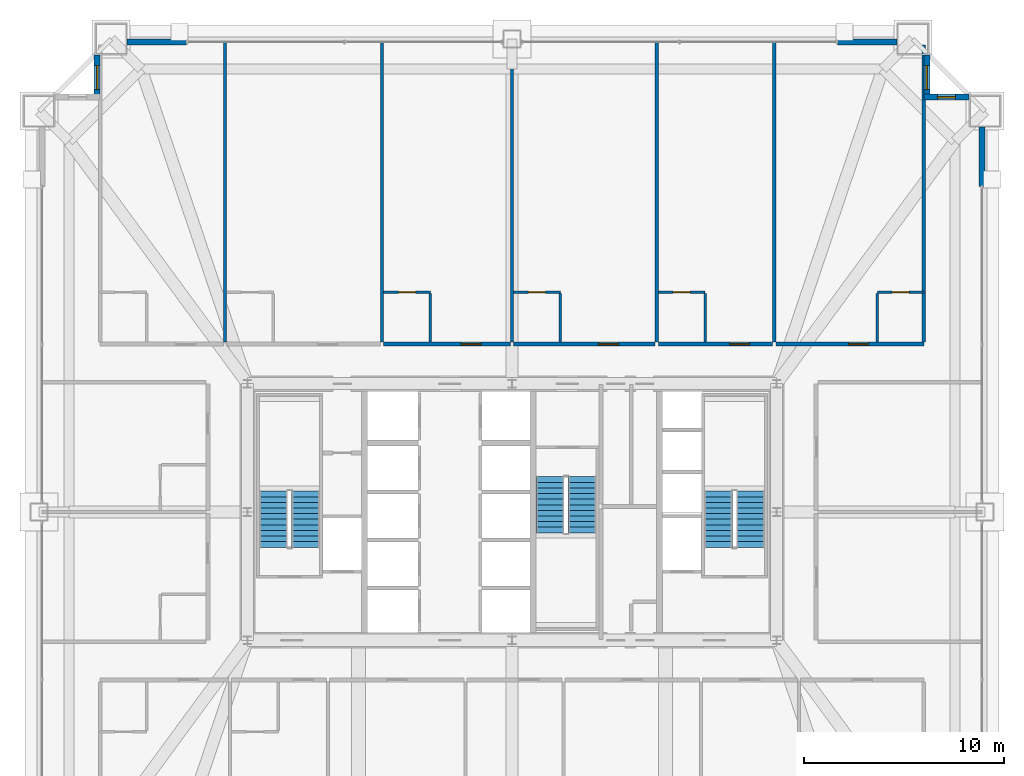
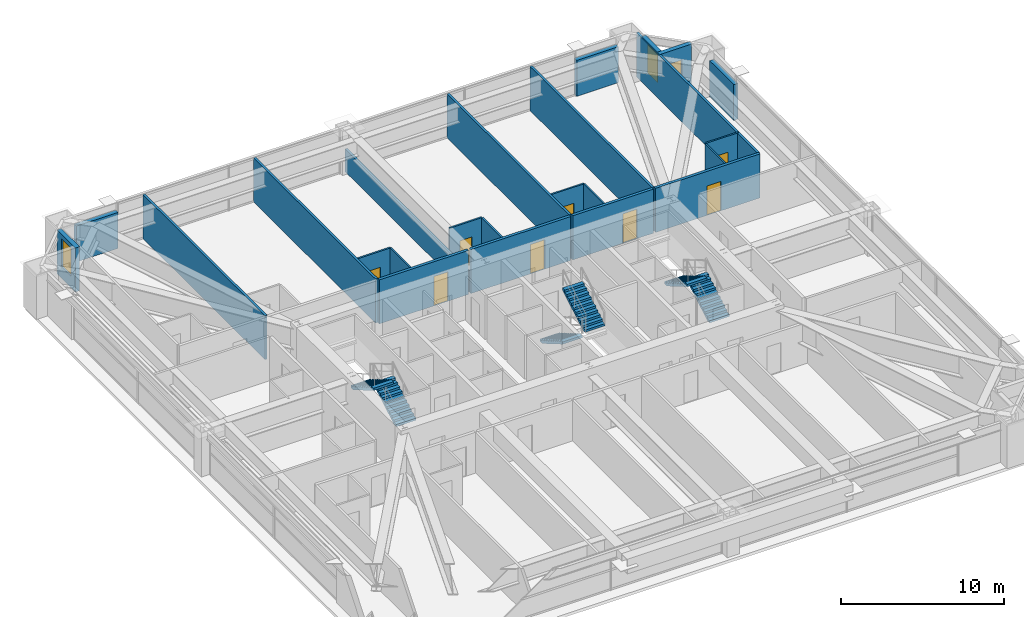
# One storey, part 44 of 45: 24 walls, 8 doors, 6 stair flights, 3 windows, 11 openings, 3 elements without a shape of their own.
"""IFC4 building model written with IfcOpenShell, lengths in metres."""

from ifc_helpers import new_model, si_unit, direction, frame, frame_2d, origin, place, context, subcontext, project, spatial, polyline, rectangle, outline, extrude, source, transform, mapped, material, layer, layer_set, type_object, element, fill, aggregate, save


model = new_model("IFC4")

# Units and contexts
model_context = context("Model", 3, precision=1e-05, world=origin(), true_north=direction((0.0, 1.0)))
body_context = subcontext(model_context, "Body", "Model", "MODEL_VIEW")
ifc_project = project(units=[si_unit("LENGTHUNIT", "METRE"), si_unit("AREAUNIT", "SQUARE_METRE"), si_unit("VOLUMEUNIT", "CUBIC_METRE"), si_unit("PLANEANGLEUNIT", "RADIAN"), si_unit("MASSUNIT", "GRAM", prefix="KILO"), si_unit("THERMODYNAMICTEMPERATUREUNIT", "KELVIN"), si_unit("POWERUNIT", "WATT")], contexts=[model_context])

# Site, building, storey
site_placement = place(None, origin())
site = spatial("IfcSite", under=ifc_project, at=site_placement, CompositionType="ELEMENT")
building_placement = place(site_placement, origin())
building = spatial("IfcBuilding", under=site, at=building_placement, Name="Yuzanri Waterfront Tower", CompositionType="ELEMENT")
storey_placement = place(building_placement, frame((0.0, 0.0, 163.199951171875)))
storey = spatial("IfcBuildingStorey", under=building, at=storey_placement, Name="L43", CompositionType="ELEMENT", Elevation=163.199951171875)

# Wall, opening, door
ifc_material_1 = material(Name="Moisture-Resistant Gypsum Stud Wall", Category="gypsum")
ifc_layer_1 = layer(ifc_material_1, 0.1201171875)
ifc_layer_set_1 = layer_set([ifc_layer_1], Name="Moisture-Resistant Gypsum Stud Wall")
wall_type_1 = type_object("IfcWallType", Name="Bathroom and Kitchen Wet Partition 120", PredefinedType="PARTITIONING", material=ifc_layer_set_1)
wall_1_placement = place(storey_placement, frame((30.596923828125, 36.760009765625, 0.0), z_axis=(0.0, 0.0, 1.0), x_axis=(1.0, 0.0, 0.0)))
wall_1 = element("IfcWall", 1, at=wall_1_placement, inside=storey, type_object=wall_type_1, Name="L43 Partition UW-L43-N3-BN", PredefinedType="PARTITIONING", context=body_context, shape_type="SweptSolid", body=[
    extrude(rectangle(XDim=2.330078125, YDim=0.1201171875, at=frame_2d((1.1650390625, 0.0))), origin(), (0.0, 0.0, 1.0), 3.300048828125),
])
opening_1_placement = place(wall_1_placement, frame((0.739990234375, 0.0, 0.0)))
opening_1 = element("IfcOpeningElement", 2, at=opening_1_placement, cuts=wall_1, Name="Opening ID-0850", PredefinedType="OPENING", context=body_context, shape_type="SweptSolid", body=[
    extrude(rectangle(XDim=0.85009765625, YDim=2.10009765625, at=frame_2d((0.425048828125, 1.050048828125))), frame((0.0, 0.074951171875, 0.0), z_axis=(0.0, -1.0, 0.0), x_axis=(1.0, 0.0, 0.0)), (0.0, 0.0, 1.0), 0.14990234375),
])
ifc_material_2 = material(Name="Moisture-Resistant Lacquered Timber", Category="wood")
door_type_1 = type_object("IfcDoorType", Name="En-Suite Bathroom and Kitchen Swing Door 850x2100", OperationType="NOTDEFINED", PredefinedType="DOOR", material=ifc_material_2)
shared_shape_1 = source(origin(), body_context, "Body", "SweptSolid", [
    extrude(rectangle(XDim=0.85009765625, YDim=2.10009765625, at=frame_2d((0.425048828125, 1.050048828125))), frame((0.0, 0.02490234375, 0.0), z_axis=(0.0, -1.0, 0.0), x_axis=(1.0, 0.0, 0.0)), (0.0, 0.0, 1.0), 0.050048828125),
])
door_1_placement = place(opening_1_placement, origin())
door_1 = element("IfcDoor", 3, at=door_1_placement, inside=storey, type_object=door_type_1, Name="L43 Guest En-Suite Door", OperationType="SINGLE_SWING_LEFT", OverallHeight=2.10009765625, OverallWidth=0.85009765625, PredefinedType="DOOR", context=body_context, shape_type="MappedRepresentation", body=[
    mapped(shared_shape_1, transform((0.0, 0.0, 0.0), scale=1.0)),
])
fill(opening_1, door_1)

wall_2_placement = place(storey_placement, frame((37.080078125, 36.760009765625, 0.0), z_axis=(0.0, 0.0, 1.0), x_axis=(1.0, 0.0, 0.0)))
wall_2 = element("IfcWall", 4, at=wall_2_placement, inside=storey, type_object=wall_type_1, Name="L43 Partition UW-L43-N4-BN", PredefinedType="PARTITIONING", context=body_context, shape_type="SweptSolid", body=[
    extrude(rectangle(XDim=2.329833984375, YDim=0.1201171875, at=frame_2d((1.1650390625, 0.0))), origin(), (0.0, 0.0, 1.0), 3.300048828125),
])
opening_2_placement = place(wall_2_placement, frame((0.739990234375, 0.0, 0.0)))
opening_2 = element("IfcOpeningElement", 5, at=opening_2_placement, cuts=wall_2, Name="Opening ID-0850", PredefinedType="OPENING", context=body_context, shape_type="SweptSolid", body=[
    extrude(rectangle(XDim=0.85009765625, YDim=2.10009765625, at=frame_2d((0.425048828125, 1.050048828125))), frame((0.0, 0.074951171875, 0.0), z_axis=(0.0, -1.0, 0.0), x_axis=(1.0, 0.0, 0.0)), (0.0, 0.0, 1.0), 0.14990234375),
])
door_2_placement = place(opening_2_placement, origin())
door_2 = element("IfcDoor", 6, at=door_2_placement, inside=storey, type_object=door_type_1, Name="L43 Guest En-Suite Door", OperationType="SINGLE_SWING_LEFT", OverallHeight=2.10009765625, OverallWidth=0.85009765625, PredefinedType="DOOR", context=body_context, shape_type="MappedRepresentation", body=[
    mapped(shared_shape_1, transform((0.0, 0.0, 0.0), scale=1.0)),
])
fill(opening_2, door_2)

wall_3_placement = place(storey_placement, frame((44.302978515625, 36.760009765625, 0.0), z_axis=(0.0, 0.0, 1.0), x_axis=(1.0, 0.0, 0.0)))
wall_3 = element("IfcWall", 7, at=wall_3_placement, inside=storey, type_object=wall_type_1, Name="L43 Partition UW-L43-N5-BN", PredefinedType="PARTITIONING", context=body_context, shape_type="SweptSolid", body=[
    extrude(rectangle(XDim=2.330078125, YDim=0.1201171875, at=frame_2d((1.1650390625, 0.0))), origin(), (0.0, 0.0, 1.0), 3.300048828125),
])
opening_3_placement = place(wall_3_placement, frame((0.739990234375, 0.0, 0.0)))
opening_3 = element("IfcOpeningElement", 8, at=opening_3_placement, cuts=wall_3, Name="Opening ID-0850", PredefinedType="OPENING", context=body_context, shape_type="SweptSolid", body=[
    extrude(rectangle(XDim=0.85009765625, YDim=2.10009765625, at=frame_2d((0.425048828125, 1.050048828125))), frame((0.0, 0.074951171875, 0.0), z_axis=(0.0, -1.0, 0.0), x_axis=(1.0, 0.0, 0.0)), (0.0, 0.0, 1.0), 0.14990234375),
])
door_3_placement = place(opening_3_placement, origin())
door_3 = element("IfcDoor", 9, at=door_3_placement, inside=storey, type_object=door_type_1, Name="L43 Guest En-Suite Door", OperationType="SINGLE_SWING_LEFT", OverallHeight=2.10009765625, OverallWidth=0.85009765625, PredefinedType="DOOR", context=body_context, shape_type="MappedRepresentation", body=[
    mapped(shared_shape_1, transform((0.0, 0.0, 0.0), scale=1.0)),
])
fill(opening_3, door_3)

wall_4_placement = place(storey_placement, frame((55.22998046875, 36.760009765625, 0.0), z_axis=(0.0, 0.0, 1.0), x_axis=(1.0, 0.0, 0.0)))
wall_4 = element("IfcWall", 10, at=wall_4_placement, inside=storey, type_object=wall_type_1, Name="L43 Partition UW-L43-N6-BN", PredefinedType="PARTITIONING", context=body_context, shape_type="SweptSolid", body=[
    extrude(rectangle(XDim=2.330078125, YDim=0.1201171875, at=frame_2d((1.1650390625, 0.0))), origin(), (0.0, 0.0, 1.0), 3.300048828125),
])
opening_4_placement = place(wall_4_placement, frame((0.739990234375, 0.0, 0.0)))
opening_4 = element("IfcOpeningElement", 11, at=opening_4_placement, cuts=wall_4, Name="Opening ID-0850", PredefinedType="OPENING", context=body_context, shape_type="SweptSolid", body=[
    extrude(rectangle(XDim=0.85009765625, YDim=2.10009765625, at=frame_2d((0.425048828125, 1.050048828125))), frame((0.0, 0.074951171875, 0.0), z_axis=(0.0, -1.0, 0.0), x_axis=(1.0, 0.0, 0.0)), (0.0, 0.0, 1.0), 0.14990234375),
])
door_4_placement = place(opening_4_placement, origin())
door_4 = element("IfcDoor", 12, at=door_4_placement, inside=storey, type_object=door_type_1, Name="L43 Guest En-Suite Door", OperationType="SINGLE_SWING_LEFT", OverallHeight=2.10009765625, OverallWidth=0.85009765625, PredefinedType="DOOR", context=body_context, shape_type="MappedRepresentation", body=[
    mapped(shared_shape_1, transform((0.0, 0.0, 0.0), scale=1.0)),
])
fill(opening_4, door_4)

# Wall, opening, window
ifc_material_3 = material(Name="Honed Chongqing Dark Basalt Stone", Category="masonry")
ifc_layer_2 = layer(ifc_material_3, 0.300048828125)
ifc_layer_set_2 = layer_set([ifc_layer_2], Name="Honed Chongqing Dark Basalt Stone")
wall_type_2 = type_object("IfcWallType", Name="Bronze Rainscreen Insulated Spandrel Portal Wall 300", PredefinedType="SOLIDWALL", material=ifc_layer_set_2)
wall_5_placement = place(storey_placement, frame((16.300048828125, 48.60009765625, 0.0), z_axis=(0.0, 0.0, 1.0), x_axis=(0.0, -1.0, 0.0)))
wall_5 = element("IfcWall", 13, at=wall_5_placement, inside=storey, type_object=wall_type_2, Name="L43 Notched Corner Masonry Wall NW-Y", PredefinedType="SOLIDWALL", context=body_context, shape_type="SweptSolid", body=[
    extrude(rectangle(XDim=2.25, YDim=0.300048828125, at=frame_2d((1.125, 0.0))), origin(), (0.0, 0.0, 1.0), 3.300048828125),
])
opening_5_placement = place(wall_5_placement, frame((0.52490234375, 0.0, 0.85009765625)))
opening_5 = element("IfcOpeningElement", 14, at=opening_5_placement, cuts=wall_5, Name="Opening WN-02", PredefinedType="OPENING", context=body_context, shape_type="SweptSolid", body=[
    extrude(rectangle(XDim=1.199951171875, YDim=2.10009765625, at=frame_2d((0.60009765625, 1.050048828125))), frame((0.0, 0.1650390625, 0.0), z_axis=(0.0, -1.0, 0.0), x_axis=(1.0, 0.0, 0.0)), (0.0, 0.0, 1.0), 0.329833984375),
])
ifc_material_4 = material(Name="Double-Silver Low-E Insulated Glass", Category="glass")
window_type_1 = type_object("IfcWindowType", Name="Anodized Bronze Notched Corner Deep-Set Slot Window 1200x2100", PartitioningType="SINGLE_PANEL", PredefinedType="WINDOW", material=ifc_material_4)
shared_shape_2 = source(origin(), body_context, "Body", "SweptSolid", [
    extrude(rectangle(XDim=1.199951171875, YDim=2.10009765625, at=frame_2d((0.60009765625, 1.050048828125))), frame((0.0, 0.030029296875, 0.0), z_axis=(0.0, -1.0, 0.0), x_axis=(1.0, 0.0, 0.0)), (0.0, 0.0, 1.0), 0.06005859375),
])
window_1_placement = place(opening_5_placement, origin())
window_1 = element("IfcWindow", 15, at=window_1_placement, inside=storey, type_object=window_type_1, Name="L43 Notched Corner Window NW-Y", OverallHeight=2.10009765625, OverallWidth=1.199951171875, PartitioningType="SINGLE_PANEL", PredefinedType="WINDOW", context=body_context, shape_type="MappedRepresentation", body=[
    mapped(shared_shape_2, transform((0.0, 0.0, 0.0), scale=1.0)),
])
fill(opening_5, window_1)

wall_6_placement = place(storey_placement, frame((59.800048828125, 46.5, 0.0), z_axis=(0.0, 0.0, 1.0), x_axis=(-1.0, 0.0, 0.0)))
wall_6 = element("IfcWall", 16, at=wall_6_placement, inside=storey, type_object=wall_type_2, Name="L43 Notched Corner Masonry Wall NE-X", PredefinedType="SOLIDWALL", context=body_context, shape_type="SweptSolid", body=[
    extrude(rectangle(XDim=2.25, YDim=0.300048828125, at=frame_2d((1.125, 0.0))), origin(), (0.0, 0.0, 1.0), 3.300048828125),
])
opening_6_placement = place(wall_6_placement, frame((0.675048828125, 0.0, 0.85009765625)))
opening_6 = element("IfcOpeningElement", 17, at=opening_6_placement, cuts=wall_6, Name="Opening WN-05", PredefinedType="OPENING", context=body_context, shape_type="SweptSolid", body=[
    extrude(rectangle(XDim=0.89990234375, YDim=1.5, at=frame_2d((0.449951171875, 0.75))), frame((0.0, 0.1650390625, 0.0), z_axis=(0.0, -1.0, 0.0), x_axis=(1.0, 0.0, 0.0)), (0.0, 0.0, 1.0), 0.329833984375),
])
ifc_material_5 = material(Name="Double-Silver Low-E Insulated Glass", Category="glass")
window_type_2 = type_object("IfcWindowType", Name="Anodized Bronze Service and Stairwell Smoke-Vent Window 900x1500", PartitioningType="SINGLE_PANEL", PredefinedType="WINDOW", material=ifc_material_5)
shared_shape_3 = source(origin(), body_context, "Body", "SweptSolid", [
    extrude(rectangle(XDim=0.89990234375, YDim=1.5, at=frame_2d((0.449951171875, 0.75))), frame((0.0, 0.030029296875, 0.0), z_axis=(0.0, -1.0, 0.0), x_axis=(1.0, 0.0, 0.0)), (0.0, 0.0, 1.0), 0.06005859375),
])
window_2_placement = place(opening_6_placement, origin())
window_2 = element("IfcWindow", 18, at=window_2_placement, inside=storey, type_object=window_type_2, Name="L43 Notched Corner Window NE-X", OverallHeight=1.5, OverallWidth=0.89990234375, PartitioningType="SINGLE_PANEL", PredefinedType="WINDOW", context=body_context, shape_type="MappedRepresentation", body=[
    mapped(shared_shape_3, transform((0.0, 0.0, 0.0), scale=1.0)),
])
fill(opening_6, window_2)

wall_7_placement = place(storey_placement, frame((57.699951171875, 46.35009765625, 0.0), z_axis=(0.0, 0.0, 1.0), x_axis=(0.0, 1.0, 0.0)))
wall_7 = element("IfcWall", 19, at=wall_7_placement, inside=storey, type_object=wall_type_2, Name="L43 Notched Corner Masonry Wall NE-Y", PredefinedType="SOLIDWALL", context=body_context, shape_type="SweptSolid", body=[
    extrude(rectangle(XDim=2.25, YDim=0.300048828125, at=frame_2d((1.125, 0.0))), origin(), (0.0, 0.0, 1.0), 3.300048828125),
])
opening_7_placement = place(wall_7_placement, frame((0.52490234375, 0.0, 0.85009765625)))
opening_7 = element("IfcOpeningElement", 20, at=opening_7_placement, cuts=wall_7, Name="Opening WN-02", PredefinedType="OPENING", context=body_context, shape_type="SweptSolid", body=[
    extrude(rectangle(XDim=1.199951171875, YDim=2.10009765625, at=frame_2d((0.60009765625, 1.050048828125))), frame((0.0, 0.1650390625, 0.0), z_axis=(0.0, -1.0, 0.0), x_axis=(1.0, 0.0, 0.0)), (0.0, 0.0, 1.0), 0.329833984375),
])
window_3_placement = place(opening_7_placement, origin())
window_3 = element("IfcWindow", 21, at=window_3_placement, inside=storey, type_object=window_type_1, Name="L43 Notched Corner Window NE-Y", OverallHeight=2.10009765625, OverallWidth=1.199951171875, PartitioningType="SINGLE_PANEL", PredefinedType="WINDOW", context=body_context, shape_type="MappedRepresentation", body=[
    mapped(shared_shape_2, transform((0.0, 0.0, 0.0), scale=1.0)),
])
fill(opening_7, window_3)

# Wall, opening, door
ifc_material_6 = material(Name="Autoclaved Aerated Concrete Blockwork", Category="masonry")
ifc_layer_3 = layer(ifc_material_6, 0.199951171875)
ifc_layer_set_3 = layer_set([ifc_layer_3], Name="Autoclaved Aerated Concrete Blockwork")
wall_type_3 = type_object("IfcWallType", Name="Corridor and Unit Party Fire Wall 200", PredefinedType="PARTITIONING", material=ifc_layer_set_3)
wall_8_placement = place(storey_placement, frame((30.596923828125, 34.179931640625, 0.0), z_axis=(0.0, 0.0, 1.0), x_axis=(1.0, 0.0, 0.0)))
wall_8 = element("IfcWall", 22, at=wall_8_placement, inside=storey, type_object=wall_type_3, Name="L43 Partition UW-L43-N3-CS", PredefinedType="PARTITIONING", context=body_context, shape_type="SweptSolid", body=[
    extrude(rectangle(XDim=6.322998046875, YDim=0.199951171875, at=frame_2d((3.16162109375, 0.0))), origin(), (0.0, 0.0, 1.0), 3.300048828125),
])
opening_8_placement = place(wall_8_placement, frame((3.865966796875, 0.0, 0.0)))
opening_8 = element("IfcOpeningElement", 23, at=opening_8_placement, cuts=wall_8, Name="Opening FD-1000", PredefinedType="OPENING", context=body_context, shape_type="SweptSolid", body=[
    extrude(rectangle(XDim=1.0, YDim=2.199951171875, at=frame_2d((0.5, 1.10009765625))), frame((0.0, 0.11474609375, 0.0), z_axis=(0.0, -1.0, 0.0), x_axis=(1.0, 0.0, 0.0)), (0.0, 0.0, 1.0), 0.229736328125),
])
ifc_material_7 = material(Name="Engineered Oak Fire-Rated Timber", Category="wood")
door_type_2 = type_object("IfcDoorType", Name="Guestroom and Apartment Entrance Fire Door 1000x2200", OperationType="NOTDEFINED", PredefinedType="DOOR", material=ifc_material_7)
shared_shape_4 = source(origin(), body_context, "Body", "SweptSolid", [
    extrude(rectangle(XDim=1.0, YDim=2.199951171875, at=frame_2d((0.5, 1.10009765625))), frame((0.0, 0.02490234375, 0.0), z_axis=(0.0, -1.0, 0.0), x_axis=(1.0, 0.0, 0.0)), (0.0, 0.0, 1.0), 0.050048828125),
])
door_5_placement = place(opening_8_placement, origin())
door_5 = element("IfcDoor", 24, at=door_5_placement, inside=storey, type_object=door_type_2, Name="L43 Deluxe Queen Junior Suite Entrance Door", OperationType="SINGLE_SWING_RIGHT", OverallHeight=2.199951171875, OverallWidth=1.0, PredefinedType="DOOR", context=body_context, shape_type="MappedRepresentation", body=[
    mapped(shared_shape_4, transform((0.0, 0.0, 0.0), scale=1.0)),
])
fill(opening_8, door_5)

wall_9_placement = place(storey_placement, frame((37.080078125, 34.179931640625, 0.0), z_axis=(0.0, 0.0, 1.0), x_axis=(1.0, 0.0, 0.0)))
wall_9 = element("IfcWall", 25, at=wall_9_placement, inside=storey, type_object=wall_type_3, Name="L43 Partition UW-L43-N4-CS", PredefinedType="PARTITIONING", context=body_context, shape_type="SweptSolid", body=[
    extrude(rectangle(XDim=7.06298828125, YDim=0.199951171875, at=frame_2d((3.531494140625, 0.0))), origin(), (0.0, 0.0, 1.0), 3.300048828125),
])
opening_9_placement = place(wall_9_placement, frame((4.236083984375, 0.0, 0.0)))
opening_9 = element("IfcOpeningElement", 26, at=opening_9_placement, cuts=wall_9, Name="Opening FD-1000", PredefinedType="OPENING", context=body_context, shape_type="SweptSolid", body=[
    extrude(rectangle(XDim=1.0, YDim=2.199951171875, at=frame_2d((0.5, 1.10009765625))), frame((0.0, 0.11474609375, 0.0), z_axis=(0.0, -1.0, 0.0), x_axis=(1.0, 0.0, 0.0)), (0.0, 0.0, 1.0), 0.229736328125),
])
door_6_placement = place(opening_9_placement, origin())
door_6 = element("IfcDoor", 27, at=door_6_placement, inside=storey, type_object=door_type_2, Name="L43 Deluxe Queen Junior Suite Entrance Door", OperationType="SINGLE_SWING_RIGHT", OverallHeight=2.199951171875, OverallWidth=1.0, PredefinedType="DOOR", context=body_context, shape_type="MappedRepresentation", body=[
    mapped(shared_shape_4, transform((0.0, 0.0, 0.0), scale=1.0)),
])
fill(opening_9, door_6)

wall_10_placement = place(storey_placement, frame((44.302978515625, 34.179931640625, 0.0), z_axis=(0.0, 0.0, 1.0), x_axis=(1.0, 0.0, 0.0)))
wall_10 = element("IfcWall", 28, at=wall_10_placement, inside=storey, type_object=wall_type_3, Name="L43 Partition UW-L43-N5-CS", PredefinedType="PARTITIONING", context=body_context, shape_type="SweptSolid", body=[
    extrude(rectangle(XDim=5.70703125, YDim=0.199951171875, at=frame_2d((2.853515625, 0.0))), origin(), (0.0, 0.0, 1.0), 3.300048828125),
])
opening_10_placement = place(wall_10_placement, frame((3.55810546875, 0.0, 0.0)))
opening_10 = element("IfcOpeningElement", 29, at=opening_10_placement, cuts=wall_10, Name="Opening FD-1000", PredefinedType="OPENING", context=body_context, shape_type="SweptSolid", body=[
    extrude(rectangle(XDim=1.0, YDim=2.199951171875, at=frame_2d((0.5, 1.10009765625))), frame((0.0, 0.11474609375, 0.0), z_axis=(0.0, -1.0, 0.0), x_axis=(1.0, 0.0, 0.0)), (0.0, 0.0, 1.0), 0.229736328125),
])
door_7_placement = place(opening_10_placement, origin())
door_7 = element("IfcDoor", 30, at=door_7_placement, inside=storey, type_object=door_type_2, Name="L43 Deluxe Queen Junior Suite Entrance Door", OperationType="SINGLE_SWING_RIGHT", OverallHeight=2.199951171875, OverallWidth=1.0, PredefinedType="DOOR", context=body_context, shape_type="MappedRepresentation", body=[
    mapped(shared_shape_4, transform((0.0, 0.0, 0.0), scale=1.0)),
])
fill(opening_10, door_7)

wall_11_placement = place(storey_placement, frame((50.169921875, 34.179931640625, 0.0), z_axis=(0.0, 0.0, 1.0), x_axis=(1.0, 0.0, 0.0)))
wall_11 = element("IfcWall", 31, at=wall_11_placement, inside=storey, type_object=wall_type_3, Name="L43 Partition UW-L43-N6-CS", PredefinedType="PARTITIONING", context=body_context, shape_type="SweptSolid", body=[
    extrude(rectangle(XDim=7.39013671875, YDim=0.199951171875, at=frame_2d((3.695068359375, 0.0))), origin(), (0.0, 0.0, 1.0), 3.300048828125),
])
opening_11_placement = place(wall_11_placement, frame((3.6298828125, 0.0, 0.0)))
opening_11 = element("IfcOpeningElement", 32, at=opening_11_placement, cuts=wall_11, Name="Opening FD-1000", PredefinedType="OPENING", context=body_context, shape_type="SweptSolid", body=[
    extrude(rectangle(XDim=1.0, YDim=2.199951171875, at=frame_2d((0.5, 1.10009765625))), frame((0.0, 0.11474609375, 0.0), z_axis=(0.0, -1.0, 0.0), x_axis=(1.0, 0.0, 0.0)), (0.0, 0.0, 1.0), 0.229736328125),
])
door_8_placement = place(opening_11_placement, origin())
door_8 = element("IfcDoor", 33, at=door_8_placement, inside=storey, type_object=door_type_2, Name="L43 Deluxe Queen Junior Suite Entrance Door", OperationType="SINGLE_SWING_RIGHT", OverallHeight=2.199951171875, OverallWidth=1.0, PredefinedType="DOOR", context=body_context, shape_type="MappedRepresentation", body=[
    mapped(shared_shape_4, transform((0.0, 0.0, 0.0), scale=1.0)),
])
fill(opening_11, door_8)

# Walls
shared_shape_5 = source(origin(), body_context, "Body", "SweptSolid", [
    extrude(rectangle(XDim=2.949951171875, YDim=0.300048828125, at=frame_2d((1.47509765625, 0.0))), origin(), (0.0, 0.0, 1.0), 2.695068359375),
])
for number, where, z_axis, x_axis, name in (
    (34, (17.800048828125, 49.25, 0.0), (0.0, 0.0, 1.0), (1.0, 0.0, 0.0), "L43 N Left Braced Masonry Shoulder"),
    (35, (53.25, 49.25, 0.0), (0.0, 0.0, 1.0), (1.0, 0.0, 0.0), "L43 N Right Braced Masonry Shoulder"),
    (36, (60.449951171875, 42.050048828125, 0.0), (0.0, 0.0, 1.0), (0.0, 1.0, 0.0), "L43 E Right Braced Masonry Shoulder"),
):
    element("IfcWall", number, at=place(storey_placement, frame(where, z_axis=z_axis, x_axis=x_axis)), inside=storey, type_object=wall_type_2, Name=name, PredefinedType="SOLIDWALL", context=body_context, shape_type="MappedRepresentation", body=[
        mapped(shared_shape_5, transform((0.0, 0.0, 0.0), scale=1.0)),
    ])
ifc_material_8 = material(Name="Gypsum Fireboard Acoustic Stud Wall", Category="gypsum")
ifc_layer_4 = layer(ifc_material_8, 0.159912109375)
ifc_layer_set_4 = layer_set([ifc_layer_4], Name="Gypsum Fireboard Acoustic Stud Wall")
wall_type_4 = type_object("IfcWallType", Name="Acoustic Suite Demising Partition 160", PredefinedType="PARTITIONING", material=ifc_layer_set_4)
shared_shape_6 = source(origin(), body_context, "Body", "SweptSolid", [
    extrude(rectangle(XDim=14.969970703125, YDim=0.159912109375, at=frame_2d((7.48486328125, 0.0))), origin(), (0.0, 0.0, 1.0), 3.300048828125),
])
for number, where, z_axis, x_axis, name in (
    (37, (22.677001953125, 34.280029296875, 0.0), (0.0, 0.0, 1.0), (0.0, 1.0, 0.0), "L43-N1 Party Wall"),
    (38, (30.51708984375, 34.280029296875, 0.0), (0.0, 0.0, 1.0), (0.0, 1.0, 0.0), "L43-N2 Party Wall"),
    (39, (44.222900390625, 34.280029296875, 0.0), (0.0, 0.0, 1.0), (0.0, 1.0, 0.0), "L43-N4 Party Wall"),
    (40, (50.090087890625, 34.280029296875, 0.0), (0.0, 0.0, 1.0), (0.0, 1.0, 0.0), "L43-N5 Party Wall"),
):
    element("IfcWall", number, at=place(storey_placement, frame(where, z_axis=z_axis, x_axis=x_axis)), inside=storey, type_object=wall_type_4, Name=name, PredefinedType="PARTITIONING", context=body_context, shape_type="MappedRepresentation", body=[
        mapped(shared_shape_6, transform((0.0, 0.0, 0.0), scale=1.0)),
    ])
shared_shape_7 = source(origin(), body_context, "Body", "SweptSolid", [
    extrude(rectangle(XDim=2.419921875, YDim=0.1201171875, at=frame_2d((1.2099609375, 0.0))), origin(), (0.0, 0.0, 1.0), 3.300048828125),
])
for number, where, z_axis, x_axis, name in (
    (41, (32.927001953125, 34.280029296875, 0.0), (0.0, 0.0, 1.0), (0.0, 1.0, 0.0), "L43-N3 En-Suite Side Wall"),
    (42, (39.409912109375, 34.280029296875, 0.0), (0.0, 0.0, 1.0), (0.0, 1.0, 0.0), "L43-N4 En-Suite Side Wall"),
    (43, (46.633056640625, 34.280029296875, 0.0), (0.0, 0.0, 1.0), (0.0, 1.0, 0.0), "L43-N5 En-Suite Side Wall"),
    (44, (55.22998046875, 34.280029296875, 0.0), (0.0, 0.0, 1.0), (0.0, 1.0, 0.0), "L43-N6 En-Suite Side Wall"),
):
    element("IfcWall", number, at=place(storey_placement, frame(where, z_axis=z_axis, x_axis=x_axis)), inside=storey, type_object=wall_type_1, Name=name, PredefinedType="PARTITIONING", context=body_context, shape_type="MappedRepresentation", body=[
        mapped(shared_shape_7, transform((0.0, 0.0, 0.0), scale=1.0)),
    ])
shared_shape_8 = source(origin(), body_context, "Body", "SweptSolid", [
    extrude(rectangle(XDim=14.969970703125, YDim=0.159912109375, at=frame_2d((7.48486328125, 0.0))), origin(), (0.0, 0.0, 1.0), 1.695068359375),
])
wall_12_placement = place(storey_placement, frame((37.0, 34.280029296875, 0.0), z_axis=(0.0, 0.0, 1.0), x_axis=(0.0, 1.0, 0.0)))
element("IfcWall", 45, at=wall_12_placement, inside=storey, type_object=wall_type_4, Name="L43-N3 Party Wall", PredefinedType="PARTITIONING", context=body_context, shape_type="MappedRepresentation", body=[
    mapped(shared_shape_8, transform((0.0, 0.0, 0.0), scale=1.0)),
])
shared_shape_9 = source(origin(), body_context, "Body", "SweptSolid", [
    extrude(rectangle(XDim=14.820068359375, YDim=0.159912109375, at=frame_2d((7.41015625, 0.0))), origin(), (0.0, 0.0, 1.0), 3.300048828125),
])
wall_13_placement = place(storey_placement, frame((57.550048828125, 34.280029296875, 0.0), z_axis=(0.0, 0.0, 1.0), x_axis=(0.0, 1.0, 0.0)))
element("IfcWall", 46, at=wall_13_placement, inside=storey, type_object=wall_type_4, Name="L43 North Band East End Wall", PredefinedType="PARTITIONING", context=body_context, shape_type="MappedRepresentation", body=[
    mapped(shared_shape_9, transform((0.0, 0.0, 0.0), scale=1.0)),
])

# Stair, stair flights
ifc_material_9 = material(Name="Concrete C40", Category="concrete")
stair_type = type_object("IfcStairType", Name="Concrete C40 Core Dogleg Exit Stair", PredefinedType="HALF_TURN_STAIR", material=ifc_material_9)
stair_1_placement = place(storey_placement, origin())
stair_1 = element("IfcStair", 47, at=stair_1_placement, inside=storey, type_object=stair_type, Name="L43 Smoke-Proof Core Stair ST-01", PredefinedType="HALF_TURN_STAIR")
ifc_material_10 = material(Name="Concrete C40", Category="concrete")
stair_flight_type = type_object("IfcStairFlightType", Name="Concrete C40 Precast Stair Flight 1380", PredefinedType="STRAIGHT", material=ifc_material_10)
shared_shape_10 = source(origin(), body_context, "Body", "SweptSolid", [
    extrude(outline(polyline([(0.0, 0.0), (0.0, 0.16357421875), (0.280029296875, 0.16357421875), (0.280029296875, 0.327392578125), (0.56005859375, 0.327392578125), (0.56005859375, 0.490966796875), (0.840087890625, 0.490966796875), (0.840087890625, 0.654541015625), (1.1201171875, 0.654541015625), (1.1201171875, 0.818115234375), (1.39990234375, 0.818115234375), (1.39990234375, 0.98193359375), (1.679931640625, 0.98193359375), (1.679931640625, 1.1455078125), (1.9599609375, 1.1455078125), (1.9599609375, 1.30908203125), (2.239990234375, 1.30908203125), (2.239990234375, 1.47265625), (2.52001953125, 1.47265625), (2.52001953125, 1.636474609375), (2.800048828125, 1.636474609375), (2.800048828125, 1.800048828125), (2.800048828125, 1.462646484375), (0.297119140625, 0.0), (0.0, 0.0)])), frame((0.0, 0.699951171875, 0.0), z_axis=(0.0, -1.0, 0.0), x_axis=(1.0, 0.0, 0.0)), (0.0, 0.0, 1.0), 1.39990234375),
])
stair_flight_1_placement = place(storey_placement, frame((26.699951171875, 24.0400390625, 0.0), z_axis=(0.0, 0.0, 1.0), x_axis=(0.0, 1.0, 0.0)))
stair_flight_1 = element("IfcStairFlight", 48, at=stair_flight_1_placement, type_object=stair_flight_type, Name="ST-01 flight 1", NumberOfRisers=11, NumberOfTreads=10, PredefinedType="STRAIGHT", RiserHeight=0.163636364, TreadLength=0.28, context=body_context, shape_type="MappedRepresentation", body=[
    mapped(shared_shape_10, transform((0.0, 0.0, 0.0), scale=1.0)),
])
stair_flight_2_placement = place(storey_placement, frame((25.10009765625, 26.840087890625, 1.800048828125), z_axis=(0.0, 0.0, 1.0), x_axis=(0.0, -1.0, 0.0)))
stair_flight_2 = element("IfcStairFlight", 49, at=stair_flight_2_placement, type_object=stair_flight_type, Name="ST-01 flight 2", NumberOfRisers=11, NumberOfTreads=10, PredefinedType="STRAIGHT", RiserHeight=0.163636364, TreadLength=0.28, context=body_context, shape_type="MappedRepresentation", body=[
    mapped(shared_shape_10, transform((0.0, 0.0, 0.0), scale=1.0)),
])
aggregate(stair_1, [stair_flight_1, stair_flight_2])

stair_2_placement = place(storey_placement, origin())
stair_2 = element("IfcStair", 50, at=stair_2_placement, inside=storey, type_object=stair_type, Name="L43 Smoke-Proof Core Stair ST-02", PredefinedType="HALF_TURN_STAIR")
stair_flight_3_placement = place(storey_placement, frame((48.89990234375, 24.0400390625, 0.0), z_axis=(0.0, 0.0, 1.0), x_axis=(0.0, 1.0, 0.0)))
stair_flight_3 = element("IfcStairFlight", 51, at=stair_flight_3_placement, type_object=stair_flight_type, Name="ST-02 flight 1", NumberOfRisers=11, NumberOfTreads=10, PredefinedType="STRAIGHT", RiserHeight=0.163636364, TreadLength=0.28, context=body_context, shape_type="MappedRepresentation", body=[
    mapped(shared_shape_10, transform((0.0, 0.0, 0.0), scale=1.0)),
])
stair_flight_4_placement = place(storey_placement, frame((47.300048828125, 26.840087890625, 1.800048828125), z_axis=(0.0, 0.0, 1.0), x_axis=(0.0, -1.0, 0.0)))
stair_flight_4 = element("IfcStairFlight", 52, at=stair_flight_4_placement, type_object=stair_flight_type, Name="ST-02 flight 2", NumberOfRisers=11, NumberOfTreads=10, PredefinedType="STRAIGHT", RiserHeight=0.163636364, TreadLength=0.28, context=body_context, shape_type="MappedRepresentation", body=[
    mapped(shared_shape_10, transform((0.0, 0.0, 0.0), scale=1.0)),
])
aggregate(stair_2, [stair_flight_3, stair_flight_4])

stair_3_placement = place(storey_placement, origin())
stair_3 = element("IfcStair", 53, at=stair_3_placement, inside=storey, type_object=stair_type, Name="L43 Smoke-Proof Core Stair ST-03", PredefinedType="HALF_TURN_STAIR")
stair_flight_5_placement = place(storey_placement, frame((38.89990234375, 27.56005859375, 0.0), z_axis=(0.0, 0.0, 1.0), x_axis=(0.0, -1.0, 0.0)))
stair_flight_5 = element("IfcStairFlight", 54, at=stair_flight_5_placement, type_object=stair_flight_type, Name="ST-03 flight 1", NumberOfRisers=11, NumberOfTreads=10, PredefinedType="STRAIGHT", RiserHeight=0.163636364, TreadLength=0.28, context=body_context, shape_type="MappedRepresentation", body=[
    mapped(shared_shape_10, transform((0.0, 0.0, 0.0), scale=1.0)),
])
stair_flight_6_placement = place(storey_placement, frame((40.5, 24.760009765625, 1.800048828125), z_axis=(0.0, 0.0, 1.0), x_axis=(0.0, 1.0, 0.0)))
stair_flight_6 = element("IfcStairFlight", 55, at=stair_flight_6_placement, type_object=stair_flight_type, Name="ST-03 flight 2", NumberOfRisers=11, NumberOfTreads=10, PredefinedType="STRAIGHT", RiserHeight=0.163636364, TreadLength=0.28, context=body_context, shape_type="MappedRepresentation", body=[
    mapped(shared_shape_10, transform((0.0, 0.0, 0.0), scale=1.0)),
])
aggregate(stair_3, [stair_flight_5, stair_flight_6])

save(model, "model.ifc")
